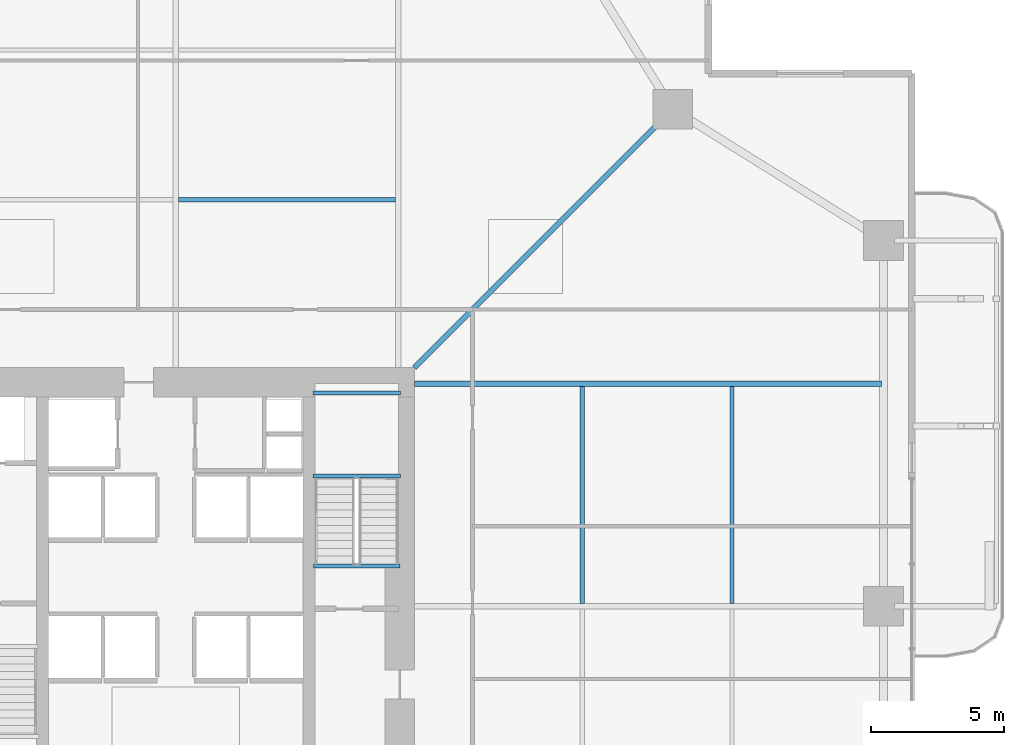
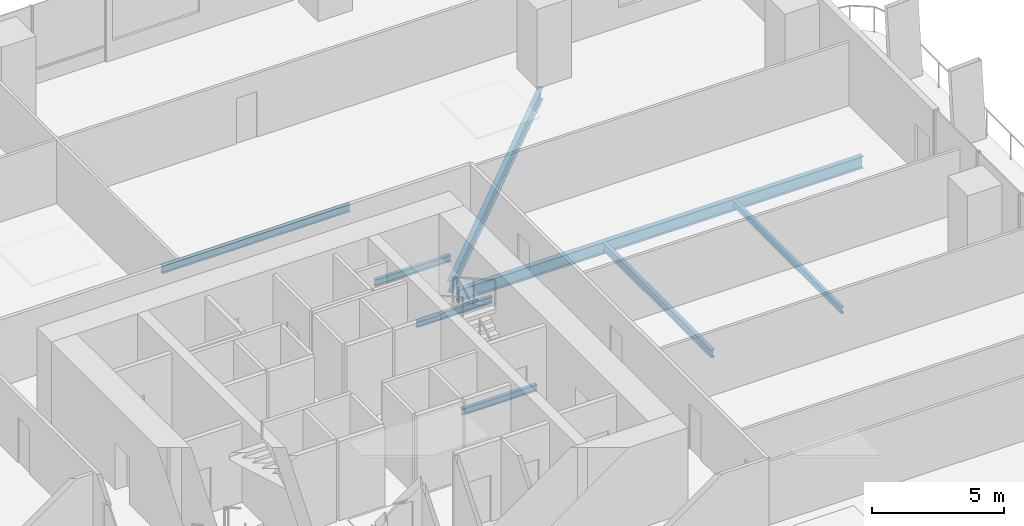
# One storey, part 12 of 24: 8 beams.
"""IFC4 building model written with IfcOpenShell, lengths in metres."""

from ifc_helpers import new_model, si_unit, direction, frame, origin, origin_2d, place, context, subcontext, project, spatial, i_section, extrude, material, material_profile, profile_set, type_object, element, save


model = new_model("IFC4")

# Units and contexts
model_context = context("Model", 3, precision=1e-05, world=origin(), true_north=direction((0.0, 1.0)))
body_context = subcontext(model_context, "Body", "Model", "MODEL_VIEW")
ifc_project = project(units=[si_unit("LENGTHUNIT", "METRE"), si_unit("AREAUNIT", "SQUARE_METRE"), si_unit("VOLUMEUNIT", "CUBIC_METRE"), si_unit("PLANEANGLEUNIT", "RADIAN"), si_unit("MASSUNIT", "GRAM", prefix="KILO")], contexts=[model_context])

# Site, building, storey
site_placement = place(None, origin())
site = spatial("IfcSite", under=ifc_project, at=site_placement, CompositionType="ELEMENT")
building_placement = place(site_placement, origin())
building = spatial("IfcBuilding", under=site, at=building_placement, Name="Belovzor Exchange Tower", CompositionType="ELEMENT")
storey_placement = place(building_placement, frame((0.0, 0.0, 49.5)))
storey = spatial("IfcBuildingStorey", under=building, at=storey_placement, Name="L11", CompositionType="ELEMENT", Elevation=49.5)

# Beams
ifc_material_1 = material(Name="Steel S355", Category="steel")
ifc_material_profile_1 = material_profile(ifc_material_1, i_section(OverallWidth=0.169921875, OverallDepth=0.360107421875, WebThickness=0.008056640625, FlangeThickness=0.0126953125, at=origin_2d()))
ifc_profile_set_1 = profile_set([ifc_material_profile_1], Name="Steel S355")
beam_type_1 = type_object("IfcBeamType", Name="Secondary Infill Floor Joist IPE 360", PredefinedType="BEAM", material=ifc_profile_set_1)
for number, where, z_axis, x_axis, name in (
    (1, (28.905029296875, 44.14501953125, -0.429931640625), (1.0, 0.0, 0.0), (0.0, 1.0, 0.0), "FJ-360 Secondary Infill Floor Joist IPE 360"),
    (2, (44.14501953125, 28.905029296875, -0.429931640625), (0.0, 1.0, 0.0), (-1.0, 0.0, 0.0), "FJ-360 Secondary Infill Floor Joist IPE 360"),
):
    element("IfcBeam", number, at=place(storey_placement, frame(where, z_axis=z_axis, x_axis=x_axis)), inside=storey, type_object=beam_type_1, Name=name, PredefinedType="BEAM", context=body_context, shape_type="SweptSolid", body=[
        extrude(i_section(OverallWidth=0.169921875, OverallDepth=0.360107421875, WebThickness=0.008056640625, FlangeThickness=0.0126953125, at=origin_2d()), origin(), (0.0, 0.0, 1.0), 8.18994140625),
    ])
ifc_material_2 = material(Name="Steel S355", Category="steel")
ifc_material_profile_2 = material_profile(ifc_material_2, i_section(OverallWidth=0.14990234375, OverallDepth=0.300048828125, WebThickness=0.007080078125, FlangeThickness=0.0107421875, at=origin_2d()))
ifc_profile_set_2 = profile_set([ifc_material_profile_2], Name="Steel S355")
beam_type_2 = type_object("IfcBeamType", Name="Secondary Trim Floor Joist IPE 300", PredefinedType="BEAM", material=ifc_profile_set_2)
for number, where, z_axis, x_axis, name in (
    (3, (37.280029296875, 33.7099609375, 1.60009765625), (-1.0, 0.0, 0.0), (0.0, -1.0, 0.0), "FJ-300 Secondary Trim Floor Joist IPE 300"),
    (4, (37.280029296875, 36.85009765625, 1.60009765625), (-1.0, 0.0, 0.0), (0.0, -1.0, 0.0), "FJ-300 Secondary Trim Floor Joist IPE 300"),
):
    element("IfcBeam", number, at=place(storey_placement, frame(where, z_axis=z_axis, x_axis=x_axis)), inside=storey, type_object=beam_type_2, Name=name, PredefinedType="BEAM", context=body_context, shape_type="SweptSolid", body=[
        extrude(i_section(OverallWidth=0.14990234375, OverallDepth=0.300048828125, WebThickness=0.007080078125, FlangeThickness=0.0107421875, at=origin_2d()), origin(), (0.0, 0.0, 1.0), 3.31005859375),
    ])
beam_1_placement = place(storey_placement, frame((37.260009765625, 30.320068359375, -0.39990234375), z_axis=(-1.0, 0.0, 0.0), x_axis=(0.0, -1.0, 0.0)))
element("IfcBeam", 5, at=beam_1_placement, inside=storey, type_object=beam_type_2, Name="FJ-300 Secondary Trim Floor Joist IPE 300", PredefinedType="BEAM", context=body_context, shape_type="SweptSolid", body=[
    extrude(i_section(OverallWidth=0.14990234375, OverallDepth=0.300048828125, WebThickness=0.007080078125, FlangeThickness=0.0107421875, at=origin_2d()), origin(), (0.0, 0.0, 1.0), 3.27001953125),
])
beam_2_placement = place(storey_placement, frame((49.784912109375, 28.905029296875, -0.39990234375), z_axis=(0.0, 1.0, 0.0), x_axis=(-1.0, 0.0, 0.0)))
element("IfcBeam", 6, at=beam_2_placement, inside=storey, type_object=beam_type_2, Name="FJ-300 Secondary Trim Floor Joist IPE 300", PredefinedType="BEAM", context=body_context, shape_type="SweptSolid", body=[
    extrude(i_section(OverallWidth=0.14990234375, OverallDepth=0.300048828125, WebThickness=0.007080078125, FlangeThickness=0.0107421875, at=origin_2d()), origin(), (0.0, 0.0, 1.0), 8.18994140625),
])
ifc_material_3 = material(Name="Steel S355", Category="steel")
ifc_material_profile_3 = material_profile(ifc_material_3, i_section(OverallWidth=0.2099609375, OverallDepth=0.550048828125, WebThickness=0.010986328125, FlangeThickness=0.01708984375, at=origin_2d()))
ifc_profile_set_3 = profile_set([ifc_material_profile_3], Name="Steel S355")
beam_type_3 = type_object("IfcBeamType", Name="Zone 1 Radial Composite Floor Beam IPE 550", PredefinedType="BEAM", material=ifc_profile_set_3)
beam_3_placement = place(storey_placement, frame((37.800048828125, 37.199951171875, -0.52490234375), z_axis=(1.0, 0.0, 0.0), x_axis=(0.0, 1.0, 0.0)))
element("IfcBeam", 7, at=beam_3_placement, inside=storey, type_object=beam_type_3, Name="FB-550 Zone 1 Radial Composite Floor Beam IPE 550", PredefinedType="BEAM", context=body_context, shape_type="SweptSolid", body=[
    extrude(i_section(OverallWidth=0.2099609375, OverallDepth=0.550048828125, WebThickness=0.010986328125, FlangeThickness=0.01708984375, at=origin_2d()), origin(), (0.0, 0.0, 1.0), 17.625),
])
beam_4_placement = place(storey_placement, frame((37.800048828125, 37.800048828125, -0.52490234375), z_axis=(0.707106781187, 0.707106781187, 0.0), x_axis=(-0.707106781187, 0.707106781187, 0.0)))
element("IfcBeam", 8, at=beam_4_placement, inside=storey, type_object=beam_type_3, Name="FB-550 Zone 1 Radial Composite Floor Beam IPE 550", PredefinedType="BEAM", context=body_context, shape_type="SweptSolid", body=[
    extrude(i_section(OverallWidth=0.2099609375, OverallDepth=0.550048828125, WebThickness=0.010986328125, FlangeThickness=0.01708984375, at=origin_2d()), origin(), (0.0, 0.0, 1.0), 13.25830078125),
])

save(model, "model.ifc")
